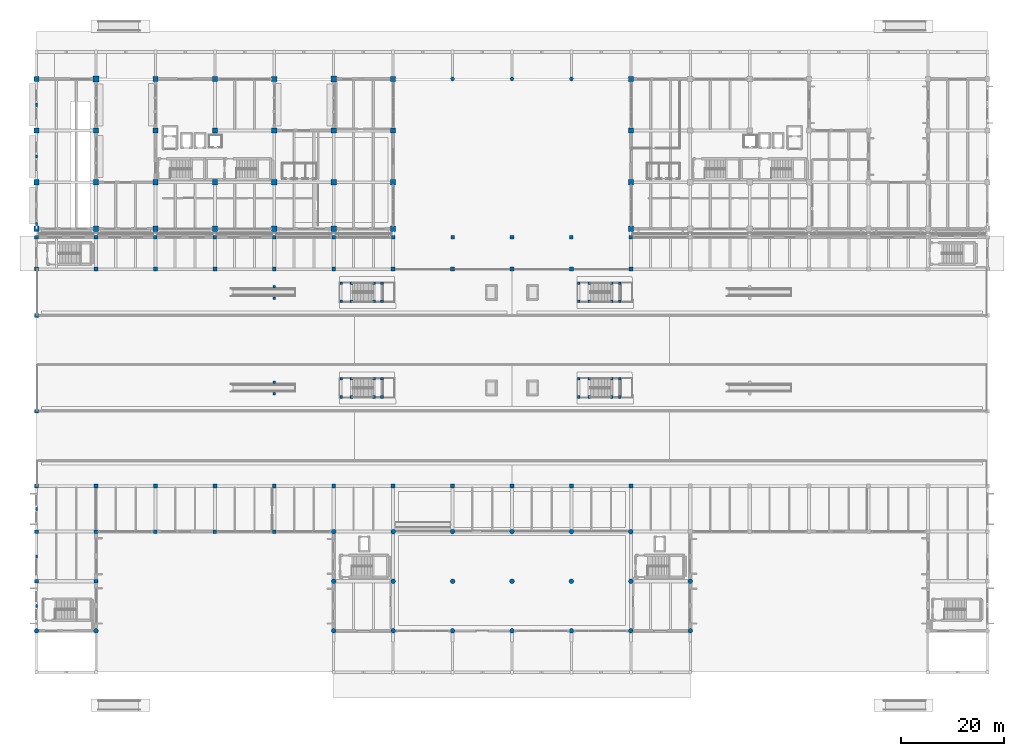
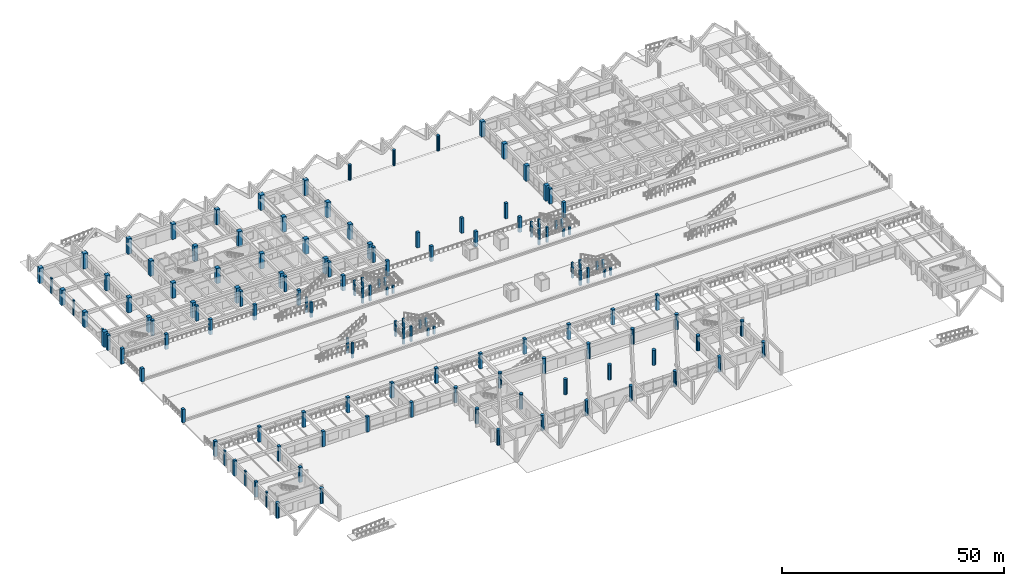
# One storey, part 1 of 109: 141 columns.
"""IFC4 building model written with IfcOpenShell, lengths in metres."""

from ifc_helpers import new_model, si_unit, direction, frame, origin, origin_2d, place, context, subcontext, project, spatial, rectangle, circle, extrude, material, material_profile, profile_set, type_object, element, save


model = new_model("IFC4")

# Units and contexts
model_context = context("Model", 3, precision=1e-05, world=origin(), true_north=direction((0.0, 1.0)))
body_context = subcontext(model_context, "Body", "Model", "MODEL_VIEW")
ifc_project = project(units=[si_unit("LENGTHUNIT", "METRE"), si_unit("AREAUNIT", "SQUARE_METRE"), si_unit("VOLUMEUNIT", "CUBIC_METRE"), si_unit("PLANEANGLEUNIT", "RADIAN"), si_unit("MASSUNIT", "GRAM", prefix="KILO")], contexts=[model_context])

# Site, building, storey
site_placement = place(None, origin())
site = spatial("IfcSite", under=ifc_project, at=site_placement, CompositionType="ELEMENT")
building_placement = place(site_placement, origin())
building = spatial("IfcBuilding", under=site, at=building_placement, Name="Ologun Quay Terminus", CompositionType="ELEMENT")
storey_placement = place(building_placement, origin())
storey = spatial("IfcBuildingStorey", under=building, at=storey_placement, Name="L00", CompositionType="ELEMENT", Elevation=0.0)

# Columns
ifc_material_1 = material(Name="Concrete C40/50", Category="concrete")
ifc_material_profile_1 = material_profile(ifc_material_1, rectangle(XDim=0.5, YDim=0.5, at=origin_2d()), Name="RC 500x500")
ifc_profile_set_1 = profile_set([ifc_material_profile_1], Name="Concrete C40/50")
column_type_1 = type_object("IfcColumnType", Name="Canopy Edge Column 500x500", PredefinedType="COLUMN", material=ifc_profile_set_1)
for number, where, z_axis, x_axis, name in (
    (1, (58.949951171875, 53.25, -0.320068359375), (0.0, 0.0, 1.0), (1.0, 0.0, 0.0), "C8 Platform Transfer Bridge Column ST-P1-LS"),
    (2, (58.949951171875, 56.75, -0.320068359375), (0.0, 0.0, 1.0), (1.0, 0.0, 0.0), "C8 Platform Transfer Bridge Column ST-P1-LN"),
    (3, (60.949951171875, 53.25, -0.320068359375), (0.0, 0.0, 1.0), (1.0, 0.0, 0.0), "C8 Platform Transfer Bridge Column ST-P1-AS"),
    (4, (60.949951171875, 56.75, -0.320068359375), (0.0, 0.0, 1.0), (1.0, 0.0, 0.0), "C8 Platform Transfer Bridge Column ST-P1-AN"),
):
    element("IfcColumn", number, at=place(storey_placement, frame(where, z_axis=z_axis, x_axis=x_axis)), inside=storey, type_object=column_type_1, Name=name, PredefinedType="COLUMN", context=body_context, shape_type="SweptSolid", body=[
        extrude(rectangle(XDim=0.5, YDim=0.5, at=origin_2d()), origin(), (0.0, 0.0, 1.0), 4.219970703125),
    ])
for number, where, z_axis, x_axis, name in (
    (5, (65.300048828125, 53.25, -0.320068359375), (0.0, 0.0, 1.0), (1.0, 0.0, 0.0), "C8 Platform Lower Half-Landing Column ST-P1-BS"),
    (6, (65.300048828125, 56.75, -0.320068359375), (0.0, 0.0, 1.0), (1.0, 0.0, 0.0), "C8 Platform Lower Half-Landing Column ST-P1-BN"),
    (7, (66.85009765625, 53.25, -0.320068359375), (0.0, 0.0, 1.0), (1.0, 0.0, 0.0), "C8 Platform Lower Half-Landing Column ST-P1-CS"),
    (8, (66.85009765625, 56.75, -0.320068359375), (0.0, 0.0, 1.0), (1.0, 0.0, 0.0), "C8 Platform Lower Half-Landing Column ST-P1-CN"),
):
    element("IfcColumn", number, at=place(storey_placement, frame(where, z_axis=z_axis, x_axis=x_axis)), inside=storey, type_object=column_type_1, Name=name, PredefinedType="COLUMN", context=body_context, shape_type="SweptSolid", body=[
        extrude(rectangle(XDim=0.5, YDim=0.5, at=origin_2d()), origin(), (0.0, 0.0, 1.0), 2.239990234375),
    ])
for number, where, z_axis, x_axis, name in (
    (9, (104.949951171875, 53.25, -0.320068359375), (0.0, 0.0, 1.0), (1.0, 0.0, 0.0), "C8 Platform Transfer Bridge Column ST-P2-LS"),
    (10, (104.949951171875, 56.75, -0.320068359375), (0.0, 0.0, 1.0), (1.0, 0.0, 0.0), "C8 Platform Transfer Bridge Column ST-P2-LN"),
    (11, (106.949951171875, 53.25, -0.320068359375), (0.0, 0.0, 1.0), (1.0, 0.0, 0.0), "C8 Platform Transfer Bridge Column ST-P2-AS"),
    (12, (106.949951171875, 56.75, -0.320068359375), (0.0, 0.0, 1.0), (1.0, 0.0, 0.0), "C8 Platform Transfer Bridge Column ST-P2-AN"),
):
    element("IfcColumn", number, at=place(storey_placement, frame(where, z_axis=z_axis, x_axis=x_axis)), inside=storey, type_object=column_type_1, Name=name, PredefinedType="COLUMN", context=body_context, shape_type="SweptSolid", body=[
        extrude(rectangle(XDim=0.5, YDim=0.5, at=origin_2d()), origin(), (0.0, 0.0, 1.0), 4.219970703125),
    ])
for number, where, z_axis, x_axis, name in (
    (13, (111.300048828125, 53.25, -0.320068359375), (0.0, 0.0, 1.0), (1.0, 0.0, 0.0), "C8 Platform Lower Half-Landing Column ST-P2-BS"),
    (14, (111.300048828125, 56.75, -0.320068359375), (0.0, 0.0, 1.0), (1.0, 0.0, 0.0), "C8 Platform Lower Half-Landing Column ST-P2-BN"),
    (15, (112.85009765625, 53.25, -0.320068359375), (0.0, 0.0, 1.0), (1.0, 0.0, 0.0), "C8 Platform Lower Half-Landing Column ST-P2-CS"),
    (16, (112.85009765625, 56.75, -0.320068359375), (0.0, 0.0, 1.0), (1.0, 0.0, 0.0), "C8 Platform Lower Half-Landing Column ST-P2-CN"),
):
    element("IfcColumn", number, at=place(storey_placement, frame(where, z_axis=z_axis, x_axis=x_axis)), inside=storey, type_object=column_type_1, Name=name, PredefinedType="COLUMN", context=body_context, shape_type="SweptSolid", body=[
        extrude(rectangle(XDim=0.5, YDim=0.5, at=origin_2d()), origin(), (0.0, 0.0, 1.0), 2.239990234375),
    ])
for number, where, z_axis, x_axis, name in (
    (17, (58.949951171875, 71.75, -0.320068359375), (0.0, 0.0, 1.0), (1.0, 0.0, 0.0), "C8 Platform Transfer Bridge Column ST-P3-LS"),
    (18, (58.949951171875, 75.25, -0.320068359375), (0.0, 0.0, 1.0), (1.0, 0.0, 0.0), "C8 Platform Transfer Bridge Column ST-P3-LN"),
    (19, (60.949951171875, 71.75, -0.320068359375), (0.0, 0.0, 1.0), (1.0, 0.0, 0.0), "C8 Platform Transfer Bridge Column ST-P3-AS"),
    (20, (60.949951171875, 75.25, -0.320068359375), (0.0, 0.0, 1.0), (1.0, 0.0, 0.0), "C8 Platform Transfer Bridge Column ST-P3-AN"),
):
    element("IfcColumn", number, at=place(storey_placement, frame(where, z_axis=z_axis, x_axis=x_axis)), inside=storey, type_object=column_type_1, Name=name, PredefinedType="COLUMN", context=body_context, shape_type="SweptSolid", body=[
        extrude(rectangle(XDim=0.5, YDim=0.5, at=origin_2d()), origin(), (0.0, 0.0, 1.0), 4.219970703125),
    ])
for number, where, z_axis, x_axis, name in (
    (21, (65.300048828125, 71.75, -0.320068359375), (0.0, 0.0, 1.0), (1.0, 0.0, 0.0), "C8 Platform Lower Half-Landing Column ST-P3-BS"),
    (22, (65.300048828125, 75.25, -0.320068359375), (0.0, 0.0, 1.0), (1.0, 0.0, 0.0), "C8 Platform Lower Half-Landing Column ST-P3-BN"),
    (23, (66.85009765625, 71.75, -0.320068359375), (0.0, 0.0, 1.0), (1.0, 0.0, 0.0), "C8 Platform Lower Half-Landing Column ST-P3-CS"),
    (24, (66.85009765625, 75.25, -0.320068359375), (0.0, 0.0, 1.0), (1.0, 0.0, 0.0), "C8 Platform Lower Half-Landing Column ST-P3-CN"),
):
    element("IfcColumn", number, at=place(storey_placement, frame(where, z_axis=z_axis, x_axis=x_axis)), inside=storey, type_object=column_type_1, Name=name, PredefinedType="COLUMN", context=body_context, shape_type="SweptSolid", body=[
        extrude(rectangle(XDim=0.5, YDim=0.5, at=origin_2d()), origin(), (0.0, 0.0, 1.0), 2.239990234375),
    ])
for number, where, z_axis, x_axis, name in (
    (25, (104.949951171875, 71.75, -0.320068359375), (0.0, 0.0, 1.0), (1.0, 0.0, 0.0), "C8 Platform Transfer Bridge Column ST-P4-LS"),
    (26, (104.949951171875, 75.25, -0.320068359375), (0.0, 0.0, 1.0), (1.0, 0.0, 0.0), "C8 Platform Transfer Bridge Column ST-P4-LN"),
    (27, (106.949951171875, 71.75, -0.320068359375), (0.0, 0.0, 1.0), (1.0, 0.0, 0.0), "C8 Platform Transfer Bridge Column ST-P4-AS"),
    (28, (106.949951171875, 75.25, -0.320068359375), (0.0, 0.0, 1.0), (1.0, 0.0, 0.0), "C8 Platform Transfer Bridge Column ST-P4-AN"),
):
    element("IfcColumn", number, at=place(storey_placement, frame(where, z_axis=z_axis, x_axis=x_axis)), inside=storey, type_object=column_type_1, Name=name, PredefinedType="COLUMN", context=body_context, shape_type="SweptSolid", body=[
        extrude(rectangle(XDim=0.5, YDim=0.5, at=origin_2d()), origin(), (0.0, 0.0, 1.0), 4.219970703125),
    ])
for number, where, z_axis, x_axis, name in (
    (29, (111.300048828125, 71.75, -0.320068359375), (0.0, 0.0, 1.0), (1.0, 0.0, 0.0), "C8 Platform Lower Half-Landing Column ST-P4-BS"),
    (30, (111.300048828125, 75.25, -0.320068359375), (0.0, 0.0, 1.0), (1.0, 0.0, 0.0), "C8 Platform Lower Half-Landing Column ST-P4-BN"),
    (31, (112.85009765625, 71.75, -0.320068359375), (0.0, 0.0, 1.0), (1.0, 0.0, 0.0), "C8 Platform Lower Half-Landing Column ST-P4-CS"),
    (32, (112.85009765625, 75.25, -0.320068359375), (0.0, 0.0, 1.0), (1.0, 0.0, 0.0), "C8 Platform Lower Half-Landing Column ST-P4-CN"),
):
    element("IfcColumn", number, at=place(storey_placement, frame(where, z_axis=z_axis, x_axis=x_axis)), inside=storey, type_object=column_type_1, Name=name, PredefinedType="COLUMN", context=body_context, shape_type="SweptSolid", body=[
        extrude(rectangle(XDim=0.5, YDim=0.5, at=origin_2d()), origin(), (0.0, 0.0, 1.0), 2.239990234375),
    ])
for number, where, z_axis, x_axis, name in (
    (33, (46.0, 53.89990234375, 0.0), (0.0, 0.0, 1.0), (1.0, 0.0, 0.0), "C8 Concourse Trimmer Column 5-1 L00"),
    (34, (46.0, 56.10009765625, 0.0), (0.0, 0.0, 1.0), (1.0, 0.0, 0.0), "C8 Concourse Trimmer Column 5-2 L00"),
    (35, (46.0, 72.39990234375, 0.0), (0.0, 0.0, 1.0), (1.0, 0.0, 0.0), "C8 Concourse Trimmer Column 5-3 L00"),
    (36, (46.0, 74.60009765625, 0.0), (0.0, 0.0, 1.0), (1.0, 0.0, 0.0), "C8 Concourse Trimmer Column 5-4 L00"),
):
    element("IfcColumn", number, at=place(storey_placement, frame(where, z_axis=z_axis, x_axis=x_axis)), inside=storey, type_object=column_type_1, Name=name, PredefinedType="COLUMN", context=body_context, shape_type="SweptSolid", body=[
        extrude(rectangle(XDim=0.5, YDim=0.5, at=origin_2d()), origin(), (0.0, 0.0, 1.0), 4.199951171875),
    ])
ifc_material_2 = material(Name="Concrete C45/55", Category="concrete")
ifc_material_profile_2 = material_profile(ifc_material_2, rectangle(XDim=1.10009765625, YDim=1.10009765625, at=origin_2d()), Name="RC 1100x1100")
ifc_profile_set_2 = profile_set([ifc_material_profile_2], Name="Concrete C45/55")
column_type_2 = type_object("IfcColumnType", Name="Courtyard Wing Lower Column 1100x1100", PredefinedType="COLUMN", material=ifc_profile_set_2)
for number, where, z_axis, x_axis, name in (
    (37, (11.5, 114.800048828125, 0.0), (0.0, 0.0, 1.0), (1.0, 0.0, 0.0), "C1 Column 2/K L00"),
    (38, (57.5, 114.800048828125, 0.0), (0.0, 0.0, 1.0), (1.0, 0.0, 0.0), "C1 Column 6/K L00"),
):
    element("IfcColumn", number, at=place(storey_placement, frame(where, z_axis=z_axis, x_axis=x_axis)), inside=storey, type_object=column_type_2, Name=name, PredefinedType="COLUMN", context=body_context, shape_type="SweptSolid", body=[
        extrude(rectangle(XDim=1.10009765625, YDim=1.10009765625, at=origin_2d()), origin(), (0.0, 0.0, 1.0), 4.199951171875),
    ])
ifc_material_3 = material(Name="Concrete C45/55", Category="concrete")
ifc_material_profile_3 = material_profile(ifc_material_3, rectangle(XDim=1.0, YDim=1.0, at=origin_2d()), Name="RC 1000x1000")
ifc_profile_set_3 = profile_set([ifc_material_profile_3], Name="Concrete C45/55")
column_type_3 = type_object("IfcColumnType", Name="Courtyard Wing Mid-Lower Column 1000x1000", PredefinedType="COLUMN", material=ifc_profile_set_3)
for number, where, z_axis, x_axis, name in (
    (39, (0.0, 85.800048828125, 0.0), (0.0, 0.0, 1.0), (1.0, 0.0, 0.0), "C2 Column 1/G2 L00"),
    (40, (0.0, 94.800048828125, 0.0), (0.0, 0.0, 1.0), (1.0, 0.0, 0.0), "C2 Column 1/H L00"),
    (41, (0.0, 104.800048828125, 0.0), (0.0, 0.0, 1.0), (1.0, 0.0, 0.0), "C2 Column 1/J L00"),
    (42, (0.0, 114.800048828125, 0.0), (0.0, 0.0, 1.0), (1.0, 0.0, 0.0), "C2 Column 1/K L00"),
    (43, (11.5, 85.800048828125, 0.0), (0.0, 0.0, 1.0), (1.0, 0.0, 0.0), "C2 Column 2/G2 L00"),
    (44, (11.5, 94.800048828125, 0.0), (0.0, 0.0, 1.0), (1.0, 0.0, 0.0), "C2 Column 2/H L00"),
    (45, (11.5, 104.800048828125, 0.0), (0.0, 0.0, 1.0), (1.0, 0.0, 0.0), "C2 Column 2/J L00"),
    (46, (23.0, 85.800048828125, 0.0), (0.0, 0.0, 1.0), (1.0, 0.0, 0.0), "C2 Column 3/G2 L00"),
    (47, (23.0, 94.800048828125, 0.0), (0.0, 0.0, 1.0), (1.0, 0.0, 0.0), "C2 Column 3/H L00"),
    (48, (23.0, 104.800048828125, 0.0), (0.0, 0.0, 1.0), (1.0, 0.0, 0.0), "C2 Column 3/J L00"),
    (49, (23.0, 114.800048828125, 0.0), (0.0, 0.0, 1.0), (1.0, 0.0, 0.0), "C2 Column 3/K L00"),
    (50, (34.5, 85.800048828125, 0.0), (0.0, 0.0, 1.0), (1.0, 0.0, 0.0), "C2 Column 4/G2 L00"),
    (51, (34.5, 94.800048828125, 0.0), (0.0, 0.0, 1.0), (1.0, 0.0, 0.0), "C2 Column 4/H L00"),
    (52, (34.5, 104.800048828125, 0.0), (0.0, 0.0, 1.0), (1.0, 0.0, 0.0), "C2 Column 4/J L00"),
    (53, (34.5, 114.800048828125, 0.0), (0.0, 0.0, 1.0), (1.0, 0.0, 0.0), "C2 Column 4/K L00"),
    (54, (46.0, 85.800048828125, 0.0), (0.0, 0.0, 1.0), (1.0, 0.0, 0.0), "C2 Column 5/G2 L00"),
    (55, (46.0, 94.800048828125, 0.0), (0.0, 0.0, 1.0), (1.0, 0.0, 0.0), "C2 Column 5/H L00"),
    (56, (46.0, 104.800048828125, 0.0), (0.0, 0.0, 1.0), (1.0, 0.0, 0.0), "C2 Column 5/J L00"),
    (57, (46.0, 114.800048828125, 0.0), (0.0, 0.0, 1.0), (1.0, 0.0, 0.0), "C2 Column 5/K L00"),
    (58, (57.5, 85.800048828125, 0.0), (0.0, 0.0, 1.0), (1.0, 0.0, 0.0), "C2 Column 6/G2 L00"),
    (59, (57.5, 94.800048828125, 0.0), (0.0, 0.0, 1.0), (1.0, 0.0, 0.0), "C2 Column 6/H L00"),
    (60, (57.5, 104.800048828125, 0.0), (0.0, 0.0, 1.0), (1.0, 0.0, 0.0), "C2 Column 6/J L00"),
    (61, (69.0, 85.800048828125, 0.0), (0.0, 0.0, 1.0), (1.0, 0.0, 0.0), "C2 Column 7/G2 L00"),
    (62, (69.0, 94.800048828125, 0.0), (0.0, 0.0, 1.0), (1.0, 0.0, 0.0), "C2 Column 7/H L00"),
    (63, (69.0, 104.800048828125, 0.0), (0.0, 0.0, 1.0), (1.0, 0.0, 0.0), "C2 Column 7/J L00"),
    (64, (69.0, 114.800048828125, 0.0), (0.0, 0.0, 1.0), (1.0, 0.0, 0.0), "C2 Column 7/K L00"),
    (65, (115.0, 85.800048828125, 0.0), (0.0, 0.0, 1.0), (1.0, 0.0, 0.0), "C2 Column 11/G2 L00"),
    (66, (115.0, 94.800048828125, 0.0), (0.0, 0.0, 1.0), (1.0, 0.0, 0.0), "C2 Column 11/H L00"),
    (67, (115.0, 104.800048828125, 0.0), (0.0, 0.0, 1.0), (1.0, 0.0, 0.0), "C2 Column 11/J L00"),
    (68, (115.0, 114.800048828125, 0.0), (0.0, 0.0, 1.0), (1.0, 0.0, 0.0), "C2 Column 11/K L00"),
):
    element("IfcColumn", number, at=place(storey_placement, frame(where, z_axis=z_axis, x_axis=x_axis)), inside=storey, type_object=column_type_3, Name=name, PredefinedType="COLUMN", context=body_context, shape_type="SweptSolid", body=[
        extrude(rectangle(XDim=1.0, YDim=1.0, at=origin_2d()), origin(), (0.0, 0.0, 1.0), 4.199951171875),
    ])
ifc_material_4 = material(Name="Concrete C40/50", Category="concrete")
ifc_material_profile_4 = material_profile(ifc_material_4, rectangle(XDim=0.39990234375, YDim=0.60009765625, at=origin_2d()), Name="RC 400x600")
ifc_profile_set_4 = profile_set([ifc_material_profile_4], Name="Concrete C40/50")
column_type_4 = type_object("IfcColumnType", Name="Podium Engaged Pilaster 400x600", PredefinedType="PILASTER", material=ifc_profile_set_4)
for number, where, z_axis, x_axis, name in (
    (69, (0.0, 12.800048828125, 0.0), (0.0, 0.0, 1.0), (1.0, 0.0, 0.0), "PL1 Engaged Pilaster W1"),
    (70, (0.0, 22.39990234375, 0.0), (0.0, 0.0, 1.0), (1.0, 0.0, 0.0), "PL1 Engaged Pilaster W2"),
    (71, (0.0, 31.60009765625, 0.0), (0.0, 0.0, 1.0), (1.0, 0.0, 0.0), "PL1 Engaged Pilaster W3"),
    (72, (0.0, 86.699951171875, 0.0), (0.0, 0.0, 1.0), (1.0, 0.0, 0.0), "PL1 Engaged Pilaster W4"),
    (73, (0.0, 99.800048828125, 0.0), (0.0, 0.0, 1.0), (1.0, 0.0, 0.0), "PL1 Engaged Pilaster W5"),
    (74, (0.0, 109.800048828125, 0.0), (0.0, 0.0, 1.0), (1.0, 0.0, 0.0), "PL1 Engaged Pilaster W6"),
):
    element("IfcColumn", number, at=place(storey_placement, frame(where, z_axis=z_axis, x_axis=x_axis)), inside=storey, type_object=column_type_4, Name=name, PredefinedType="PILASTER", context=body_context, shape_type="SweptSolid", body=[
        extrude(rectangle(XDim=0.39990234375, YDim=0.60009765625, at=origin_2d()), origin(), (0.0, 0.0, 1.0), 4.199951171875),
    ])
ifc_material_5 = material(Name="Concrete C40/50", Category="concrete")
ifc_material_profile_5 = material_profile(ifc_material_5, circle(Radius=0.375, at=origin_2d()), Name="RC D750")
ifc_profile_set_5 = profile_set([ifc_material_profile_5], Name="Concrete C40/50")
column_type_5 = type_object("IfcColumnType", Name="Promenade Colonnade Circular Column D750", PredefinedType="COLUMN", material=ifc_profile_set_5)
for number, where, z_axis, x_axis, name in (
    (75, (80.5, 114.800048828125, 0.0), (0.0, 0.0, 1.0), (1.0, 0.0, 0.0), "C10 Harbour Colonnade Rear Column 8/K"),
    (76, (92.0, 114.800048828125, 0.0), (0.0, 0.0, 1.0), (1.0, 0.0, 0.0), "C10 Harbour Colonnade Rear Column 9/K"),
    (77, (103.5, 114.800048828125, 0.0), (0.0, 0.0, 1.0), (1.0, 0.0, 0.0), "C10 Harbour Colonnade Rear Column 10/K"),
):
    element("IfcColumn", number, at=place(storey_placement, frame(where, z_axis=z_axis, x_axis=x_axis)), inside=storey, type_object=column_type_5, Name=name, PredefinedType="COLUMN", context=body_context, shape_type="SweptSolid", body=[
        extrude(circle(Radius=0.375, at=origin_2d()), origin(), (0.0, 0.0, 1.0), 4.219970703125),
    ])
ifc_material_6 = material(Name="Concrete C45/55", Category="concrete")
ifc_material_profile_6 = material_profile(ifc_material_6, rectangle(XDim=0.75, YDim=0.75, at=origin_2d()), Name="RC 750x750")
ifc_profile_set_6 = profile_set([ifc_material_profile_6], Name="Concrete C45/55")
column_type_6 = type_object("IfcColumnType", Name="Station Arch Pier Stem 750x750", PredefinedType="COLUMN", material=ifc_profile_set_6)
for number, where, z_axis, x_axis, name in (
    (78, (0.0, 36.0, 0.0), (0.0, 0.0, 1.0), (1.0, 0.0, 0.0), "C5 Column 1/E L00"),
    (79, (0.0, 78.0, 0.0), (0.0, 0.0, 1.0), (1.0, 0.0, 0.0), "C5 Column 1/F L00"),
    (80, (11.5, 36.0, 0.0), (0.0, 0.0, 1.0), (1.0, 0.0, 0.0), "C5 Column 2/E L00"),
    (81, (11.5, 78.0, 0.0), (0.0, 0.0, 1.0), (1.0, 0.0, 0.0), "C5 Column 2/F L00"),
    (82, (23.0, 36.0, 0.0), (0.0, 0.0, 1.0), (1.0, 0.0, 0.0), "C5 Column 3/E L00"),
    (83, (23.0, 78.0, 0.0), (0.0, 0.0, 1.0), (1.0, 0.0, 0.0), "C5 Column 3/F L00"),
    (84, (34.5, 36.0, 0.0), (0.0, 0.0, 1.0), (1.0, 0.0, 0.0), "C5 Column 4/E L00"),
    (85, (34.5, 78.0, 0.0), (0.0, 0.0, 1.0), (1.0, 0.0, 0.0), "C5 Column 4/F L00"),
    (86, (46.0, 36.0, 0.0), (0.0, 0.0, 1.0), (1.0, 0.0, 0.0), "C5 Column 5/E L00"),
    (87, (46.0, 78.0, 0.0), (0.0, 0.0, 1.0), (1.0, 0.0, 0.0), "C5 Column 5/F L00"),
    (88, (57.5, 36.0, 0.0), (0.0, 0.0, 1.0), (1.0, 0.0, 0.0), "C5 Column 6/E L00"),
    (89, (57.5, 78.0, 0.0), (0.0, 0.0, 1.0), (1.0, 0.0, 0.0), "C5 Column 6/F L00"),
    (90, (69.0, 36.0, 0.0), (0.0, 0.0, 1.0), (1.0, 0.0, 0.0), "C5 Column 7/E L00"),
    (91, (69.0, 78.0, 0.0), (0.0, 0.0, 1.0), (1.0, 0.0, 0.0), "C5 Column 7/F L00"),
    (92, (80.5, 36.0, 0.0), (0.0, 0.0, 1.0), (1.0, 0.0, 0.0), "C5 Column 8/E L00"),
    (93, (80.5, 78.0, 0.0), (0.0, 0.0, 1.0), (1.0, 0.0, 0.0), "C5 Column 8/F L00"),
    (94, (92.0, 36.0, 0.0), (0.0, 0.0, 1.0), (1.0, 0.0, 0.0), "C5 Column 9/E L00"),
    (95, (92.0, 78.0, 0.0), (0.0, 0.0, 1.0), (1.0, 0.0, 0.0), "C5 Column 9/F L00"),
    (96, (103.5, 36.0, 0.0), (0.0, 0.0, 1.0), (1.0, 0.0, 0.0), "C5 Column 10/E L00"),
    (97, (103.5, 78.0, 0.0), (0.0, 0.0, 1.0), (1.0, 0.0, 0.0), "C5 Column 10/F L00"),
    (98, (115.0, 36.0, 0.0), (0.0, 0.0, 1.0), (1.0, 0.0, 0.0), "C5 Column 11/E L00"),
    (99, (115.0, 78.0, 0.0), (0.0, 0.0, 1.0), (1.0, 0.0, 0.0), "C5 Column 11/F L00"),
):
    element("IfcColumn", number, at=place(storey_placement, frame(where, z_axis=z_axis, x_axis=x_axis)), inside=storey, type_object=column_type_6, Name=name, PredefinedType="COLUMN", context=body_context, shape_type="SweptSolid", body=[
        extrude(rectangle(XDim=0.75, YDim=0.75, at=origin_2d()), origin(), (0.0, 0.0, 1.0), 4.199951171875),
    ])
for number, where, z_axis, x_axis, name in (
    (100, (0.0, 50.5, 0.550048828125), (0.0, 0.0, 1.0), (1.0, 0.0, 0.0), "C5 Gable Mullion Column 1-Y50 L00"),
    (101, (0.0, 69.0, 0.550048828125), (0.0, 0.0, 1.0), (1.0, 0.0, 0.0), "C5 Gable Mullion Column 1-Y69 L00"),
):
    element("IfcColumn", number, at=place(storey_placement, frame(where, z_axis=z_axis, x_axis=x_axis)), inside=storey, type_object=column_type_6, Name=name, PredefinedType="COLUMN", context=body_context, shape_type="SweptSolid", body=[
        extrude(rectangle(XDim=0.75, YDim=0.75, at=origin_2d()), origin(), (0.0, 0.0, 1.0), 3.64990234375),
    ])
ifc_material_7 = material(Name="Concrete C40/50", Category="concrete")
ifc_material_profile_7 = material_profile(ifc_material_7, rectangle(XDim=0.699951171875, YDim=0.699951171875, at=origin_2d()), Name="RC 700x700")
ifc_profile_set_7 = profile_set([ifc_material_profile_7], Name="Concrete C40/50")
column_type_7 = type_object("IfcColumnType", Name="Station Concourse Column 700x700", PredefinedType="COLUMN", material=ifc_profile_set_7)
for number, where, z_axis, x_axis, name in (
    (102, (0.0, 17.60009765625, 0.0), (0.0, 0.0, 1.0), (1.0, 0.0, 0.0), "C6 Column 1/C L00"),
    (103, (0.0, 27.199951171875, 0.0), (0.0, 0.0, 1.0), (1.0, 0.0, 0.0), "C6 Column 1/D L00"),
    (104, (0.0, 84.199951171875, 0.0), (0.0, 0.0, 1.0), (1.0, 0.0, 0.0), "C6 Column 1/G1 L00"),
    (105, (11.5, 17.60009765625, 0.0), (0.0, 0.0, 1.0), (1.0, 0.0, 0.0), "C6 Column 2/C L00"),
    (106, (11.5, 27.199951171875, 0.0), (0.0, 0.0, 1.0), (1.0, 0.0, 0.0), "C6 Column 2/D L00"),
    (107, (11.5, 84.199951171875, 0.0), (0.0, 0.0, 1.0), (1.0, 0.0, 0.0), "C6 Column 2/G1 L00"),
    (108, (23.0, 27.199951171875, 0.0), (0.0, 0.0, 1.0), (1.0, 0.0, 0.0), "C6 Column 3/D L00"),
    (109, (23.0, 84.199951171875, 0.0), (0.0, 0.0, 1.0), (1.0, 0.0, 0.0), "C6 Column 3/G1 L00"),
    (110, (34.5, 27.199951171875, 0.0), (0.0, 0.0, 1.0), (1.0, 0.0, 0.0), "C6 Column 4/D L00"),
    (111, (34.5, 84.199951171875, 0.0), (0.0, 0.0, 1.0), (1.0, 0.0, 0.0), "C6 Column 4/G1 L00"),
    (112, (46.0, 27.199951171875, 0.0), (0.0, 0.0, 1.0), (1.0, 0.0, 0.0), "C6 Column 5/D L00"),
    (113, (46.0, 84.199951171875, 0.0), (0.0, 0.0, 1.0), (1.0, 0.0, 0.0), "C6 Column 5/G1 L00"),
    (114, (57.5, 84.199951171875, 0.0), (0.0, 0.0, 1.0), (1.0, 0.0, 0.0), "C6 Column 6/G1 L00"),
    (115, (69.0, 84.199951171875, 0.0), (0.0, 0.0, 1.0), (1.0, 0.0, 0.0), "C6 Column 7/G1 L00"),
    (116, (80.5, 84.199951171875, 0.0), (0.0, 0.0, 1.0), (1.0, 0.0, 0.0), "C6 Column 8/G1 L00"),
    (117, (92.0, 84.199951171875, 0.0), (0.0, 0.0, 1.0), (1.0, 0.0, 0.0), "C6 Column 9/G1 L00"),
    (118, (103.5, 84.199951171875, 0.0), (0.0, 0.0, 1.0), (1.0, 0.0, 0.0), "C6 Column 10/G1 L00"),
    (119, (115.0, 84.199951171875, 0.0), (0.0, 0.0, 1.0), (1.0, 0.0, 0.0), "C6 Column 11/G1 L00"),
):
    element("IfcColumn", number, at=place(storey_placement, frame(where, z_axis=z_axis, x_axis=x_axis)), inside=storey, type_object=column_type_7, Name=name, PredefinedType="COLUMN", context=body_context, shape_type="SweptSolid", body=[
        extrude(rectangle(XDim=0.699951171875, YDim=0.699951171875, at=origin_2d()), origin(), (0.0, 0.0, 1.0), 4.199951171875),
    ])
ifc_material_8 = material(Name="Concrete C45/55", Category="concrete")
ifc_material_profile_8 = material_profile(ifc_material_8, circle(Radius=0.449951171875, at=origin_2d()), Name="RC D900")
ifc_profile_set_8 = profile_set([ifc_material_profile_8], Name="Concrete C45/55")
column_type_8 = type_object("IfcColumnType", Name="Ticket Hall Sculpted Circular Column D900", PredefinedType="COLUMN", material=ifc_profile_set_8)
for number, where, z_axis, x_axis, name in (
    (120, (0.0, 8.0, 0.0), (0.0, 0.0, 1.0), (1.0, 0.0, 0.0), "C9 Column 1/B L00"),
    (121, (11.5, 8.0, 0.0), (0.0, 0.0, 1.0), (1.0, 0.0, 0.0), "C9 Column 2/B L00"),
    (122, (57.5, 8.0, 0.0), (0.0, 0.0, 1.0), (1.0, 0.0, 0.0), "C9 Column 6/B L00"),
    (123, (57.5, 17.60009765625, 0.0), (0.0, 0.0, 1.0), (1.0, 0.0, 0.0), "C9 Column 6/C L00"),
    (124, (57.5, 27.199951171875, 0.0), (0.0, 0.0, 1.0), (1.0, 0.0, 0.0), "C9 Column 6/D L00"),
    (125, (69.0, 8.0, 0.0), (0.0, 0.0, 1.0), (1.0, 0.0, 0.0), "C9 Column 7/B L00"),
    (126, (69.0, 17.60009765625, 0.0), (0.0, 0.0, 1.0), (1.0, 0.0, 0.0), "C9 Column 7/C L00"),
    (127, (69.0, 27.199951171875, 0.0), (0.0, 0.0, 1.0), (1.0, 0.0, 0.0), "C9 Column 7/D L00"),
    (128, (80.5, 8.0, 0.0), (0.0, 0.0, 1.0), (1.0, 0.0, 0.0), "C9 Column 8/B L00"),
    (129, (80.5, 17.60009765625, 0.0), (0.0, 0.0, 1.0), (1.0, 0.0, 0.0), "C9 Column 8/C L00"),
    (130, (80.5, 27.199951171875, 0.0), (0.0, 0.0, 1.0), (1.0, 0.0, 0.0), "C9 Column 8/D L00"),
    (131, (92.0, 8.0, 0.0), (0.0, 0.0, 1.0), (1.0, 0.0, 0.0), "C9 Column 9/B L00"),
    (132, (92.0, 17.60009765625, 0.0), (0.0, 0.0, 1.0), (1.0, 0.0, 0.0), "C9 Column 9/C L00"),
    (133, (92.0, 27.199951171875, 0.0), (0.0, 0.0, 1.0), (1.0, 0.0, 0.0), "C9 Column 9/D L00"),
    (134, (103.5, 8.0, 0.0), (0.0, 0.0, 1.0), (1.0, 0.0, 0.0), "C9 Column 10/B L00"),
    (135, (103.5, 17.60009765625, 0.0), (0.0, 0.0, 1.0), (1.0, 0.0, 0.0), "C9 Column 10/C L00"),
    (136, (103.5, 27.199951171875, 0.0), (0.0, 0.0, 1.0), (1.0, 0.0, 0.0), "C9 Column 10/D L00"),
    (137, (115.0, 8.0, 0.0), (0.0, 0.0, 1.0), (1.0, 0.0, 0.0), "C9 Column 11/B L00"),
    (138, (115.0, 17.60009765625, 0.0), (0.0, 0.0, 1.0), (1.0, 0.0, 0.0), "C9 Column 11/C L00"),
    (139, (115.0, 27.199951171875, 0.0), (0.0, 0.0, 1.0), (1.0, 0.0, 0.0), "C9 Column 11/D L00"),
    (140, (126.5, 8.0, 0.0), (0.0, 0.0, 1.0), (1.0, 0.0, 0.0), "C9 Column 12/B L00"),
    (141, (126.5, 17.60009765625, 0.0), (0.0, 0.0, 1.0), (1.0, 0.0, 0.0), "C9 Column 12/C L00"),
):
    element("IfcColumn", number, at=place(storey_placement, frame(where, z_axis=z_axis, x_axis=x_axis)), inside=storey, type_object=column_type_8, Name=name, PredefinedType="COLUMN", context=body_context, shape_type="SweptSolid", body=[
        extrude(circle(Radius=0.449951171875, at=origin_2d()), origin(), (0.0, 0.0, 1.0), 4.199951171875),
    ])

save(model, "model.ifc")
